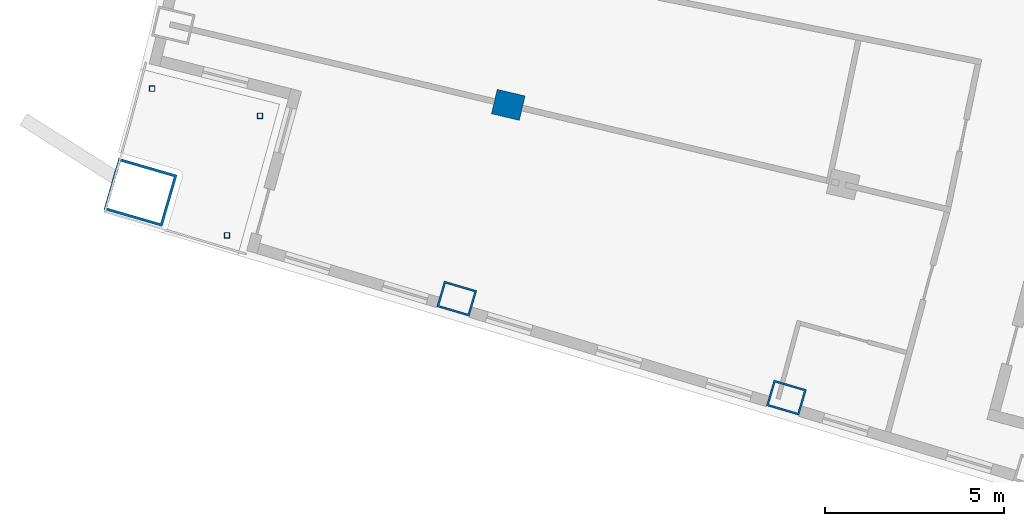
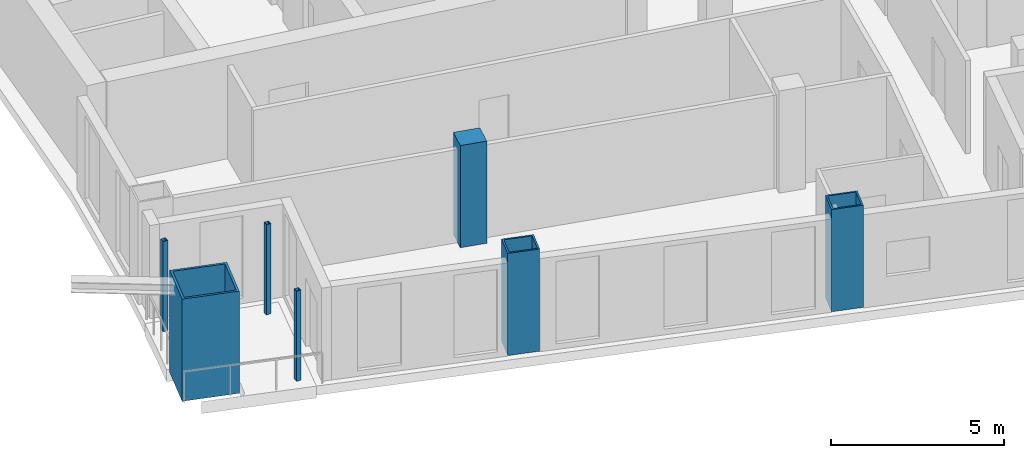
# One storey, part 1 of 18: 7 columns.
"""IFC4 building model written with IfcOpenShell, lengths in metres."""

from ifc_helpers import new_model, si_unit, direction, frame, origin, origin_2d, place, context, subcontext, project, spatial, rectangle, hollow_rectangle, extrude, material, material_profile, profile_set, type_object, element, save


model = new_model("IFC4")

# Units and contexts
model_context = context("Model", 3, precision=1e-05, world=origin(), true_north=direction((0.0, 1.0)))
body_context = subcontext(model_context, "Body", "Model", "MODEL_VIEW")
ifc_project = project(units=[si_unit("LENGTHUNIT", "METRE"), si_unit("AREAUNIT", "SQUARE_METRE"), si_unit("VOLUMEUNIT", "CUBIC_METRE"), si_unit("PLANEANGLEUNIT", "RADIAN"), si_unit("MASSUNIT", "GRAM", prefix="KILO")], contexts=[model_context])

# Site, building, storey
site_placement = place(None, origin())
site = spatial("IfcSite", under=ifc_project, at=site_placement, CompositionType="ELEMENT")
building_placement = place(site_placement, origin())
building = spatial("IfcBuilding", under=site, at=building_placement, Name="Alderwake Tower", CompositionType="ELEMENT")
storey_placement = place(building_placement, frame((0.0, 0.0, 225.199951171875)))
storey = spatial("IfcBuildingStorey", under=building, at=storey_placement, Name="L56", CompositionType="ELEMENT", Elevation=225.199951171875)

# Columns
ifc_material_1 = material(Name="Steel ASTM A572 Grade 50 concrete filled C70/85", Category="concrete")
ifc_material_profile_1 = material_profile(ifc_material_1, hollow_rectangle(XDim=0.75, YDim=0.949951171875, WallThickness=0.054931640625, at=origin_2d()), Name="BOX 950X750X55")
ifc_profile_set_1 = profile_set([ifc_material_profile_1], Name="Steel ASTM A572 Grade 50 concrete filled C70/85")
column_type_1 = type_object("IfcColumnType", Name="End column Z4", PredefinedType="COLUMN", material=ifc_profile_set_1)
for number, where, z_axis, x_axis, name in (
    (1, (21.885498046875, 31.03759765625, 0.0), (0.0, 0.0, 1.0), (0.282132160283, 0.95937554906, 0.0), "Column R02-C1"),
    (2, (31.080322265625, 28.27685546875, 0.0), (0.0, 0.0, 1.0), (0.282582549822, 0.959242984095, 0.0), "Column R02-C2"),
):
    element("IfcColumn", number, at=place(storey_placement, frame(where, z_axis=z_axis, x_axis=x_axis)), inside=storey, type_object=column_type_1, Name=name, PredefinedType="COLUMN", context=body_context, shape_type="SweptSolid", body=[
        extrude(hollow_rectangle(XDim=0.75, YDim=0.949951171875, WallThickness=0.054931640625, at=origin_2d()), origin(), (0.0, 0.0, 1.0), 3.60009765625),
    ])
ifc_material_2 = material(Name="Concrete C70/85", Category="concrete")
ifc_material_profile_2 = material_profile(ifc_material_2, rectangle(XDim=0.699951171875, YDim=0.800048828125, at=origin_2d()), Name="RC 800X700")
ifc_profile_set_2 = profile_set([ifc_material_profile_2], Name="Concrete C70/85")
column_type_2 = type_object("IfcColumnType", Name="Interior column Z4", PredefinedType="COLUMN", material=ifc_profile_set_2)
column_1_placement = place(storey_placement, frame((23.322021484375, 36.444091796875, 0.0), z_axis=(0.0, 0.0, 1.0), x_axis=(0.231221547198, 0.972901123502, 0.0)))
element("IfcColumn", 3, at=column_1_placement, inside=storey, type_object=column_type_2, Name="Column R03-C1", PredefinedType="COLUMN", context=body_context, shape_type="SweptSolid", body=[
    extrude(rectangle(XDim=0.699951171875, YDim=0.800048828125, at=origin_2d()), origin(), (0.0, 0.0, 1.0), 3.60009765625),
])
ifc_material_3 = material(Name="Steel ASTM A500 Grade C", Category="steel")
ifc_material_profile_3 = material_profile(ifc_material_3, hollow_rectangle(XDim=0.15234375, YDim=0.15234375, WallThickness=0.0087890625, at=origin_2d()), Name="HSS6X6X3/8")
ifc_profile_set_3 = profile_set([ifc_material_profile_3], Name="Steel ASTM A500 Grade C")
column_type_3 = type_object("IfcColumnType", Name="Light post HSS6X6X3/8", PredefinedType="COLUMN", material=ifc_profile_set_3)
for number, where, z_axis, x_axis, name in (
    (4, (13.3896484375, 36.896484375, 0.0), (0.0, 0.0, 1.0), (1.0, 0.0, 0.0), "Terrace post RS1"),
    (5, (15.47412109375, 32.805908203125, 0.0), (0.0, 0.0, 1.0), (1.0, 0.0, 0.0), "Terrace post RS2"),
    (6, (16.39501953125, 36.135986328125, 0.0), (0.0, 0.0, 1.0), (1.0, 0.0, 0.0), "Terrace post RS3"),
):
    element("IfcColumn", number, at=place(storey_placement, frame(where, z_axis=z_axis, x_axis=x_axis)), inside=storey, type_object=column_type_3, Name=name, PredefinedType="COLUMN", context=body_context, shape_type="SweptSolid", body=[
        extrude(hollow_rectangle(XDim=0.15234375, YDim=0.15234375, WallThickness=0.0087890625, at=origin_2d()), origin(), (0.0, 0.0, 1.0), 3.179931640625),
    ])
ifc_material_4 = material(Name="Steel ASTM A572 Grade 50 concrete filled C70/85", Category="concrete")
ifc_material_profile_4 = material_profile(ifc_material_4, hollow_rectangle(XDim=1.5, YDim=1.699951171875, WallThickness=0.074951171875, at=origin_2d()), Name="BOX 1700X1500X75")
ifc_profile_set_4 = profile_set([ifc_material_profile_4], Name="Steel ASTM A572 Grade 50 concrete filled C70/85")
column_type_4 = type_object("IfcColumnType", Name="Mega column Z4", PredefinedType="COLUMN", material=ifc_profile_set_4)
column_2_placement = place(storey_placement, frame((13.06298828125, 34.00244140625, 0.0), z_axis=(0.0, 0.0, 1.0), x_axis=(0.278612301868, 0.960403657452, 0.0)))
element("IfcColumn", 7, at=column_2_placement, inside=storey, type_object=column_type_4, Name="Column R02-C0", PredefinedType="COLUMN", context=body_context, shape_type="SweptSolid", body=[
    extrude(hollow_rectangle(XDim=1.5, YDim=1.699951171875, WallThickness=0.074951171875, at=origin_2d()), origin(), (0.0, 0.0, 1.0), 3.60009765625),
])

save(model, "model.ifc")
